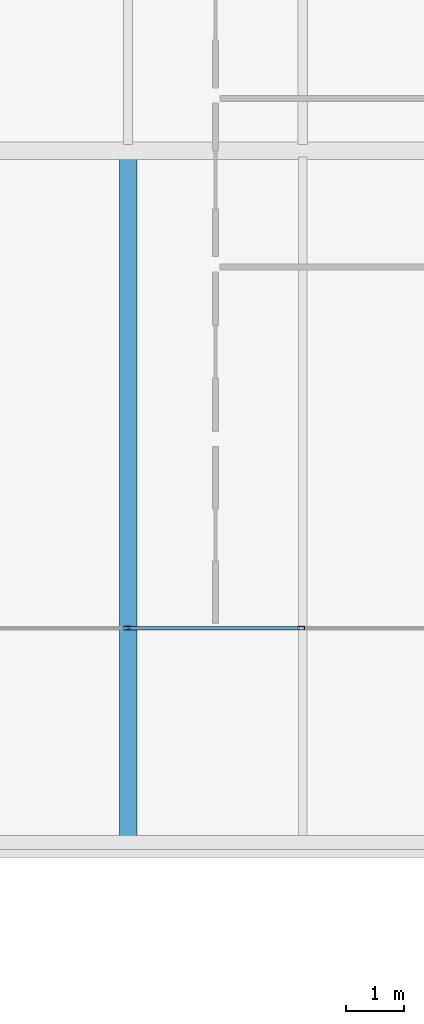
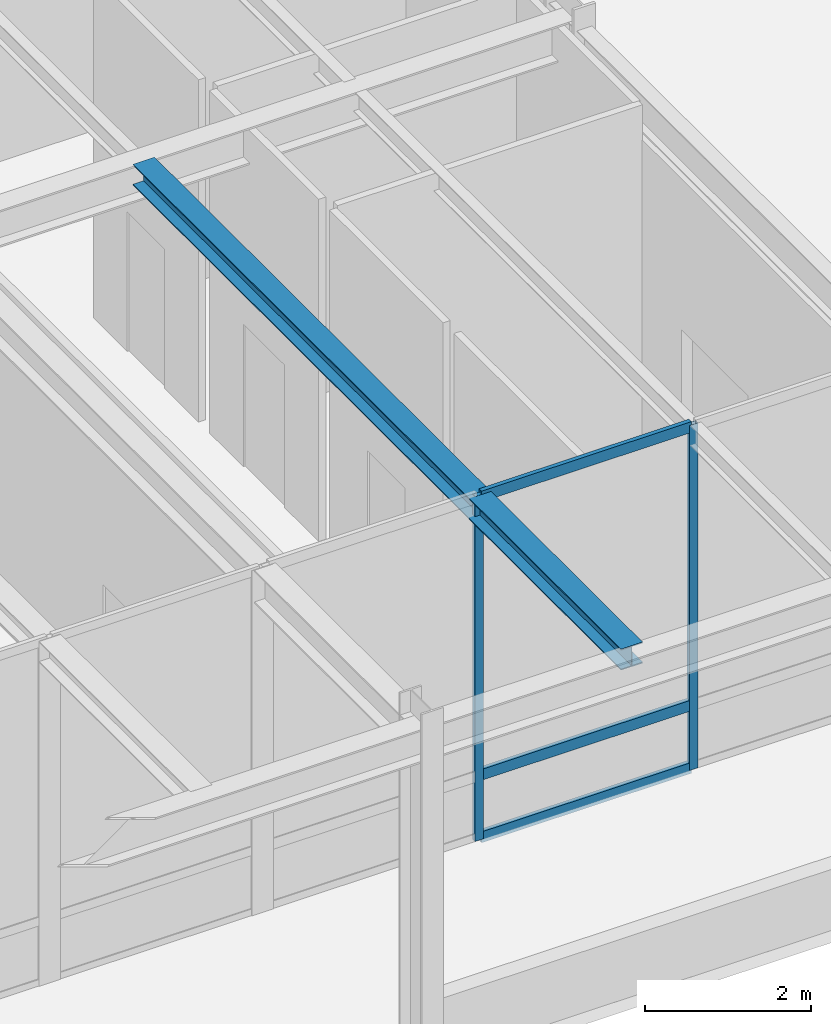
# One storey, part 92 of 143: 5 members, 1 beam, 1 element without a shape of its own.
"""IFC4 building model written with IfcOpenShell, lengths in metres."""

import ifcopenshell
import ifcopenshell.guid

model = None  # the IFC model being written
_history = None  # IfcOwnerHistory: only IFC2X3 demands one
_inside = {}  # id of a spatial element -> (the spatial element, [elements in it])
_under = {}  # id of a project, library or spatial element -> (it, [spatial elements below it])
_declared = {}  # id of a project -> (the project, [libraries it declares])
_typed = {}  # id of a type object -> (the type object, [elements of that type])
_made_of = {}  # id of a material, layer set ... -> (it, [elements and type objects made of it])


def new_model(schema):
    """Start an empty IFC model of exactly this schema.

    Asked for "IFC4X3", IfcOpenShell would pick the latest addendum, in which some entities
    have other attributes; the version numbers below select the first issue.
    IFC2X3 requires an IfcOwnerHistory on every rooted entity: one is made here for all.
    """
    global model, _history
    if schema == "IFC4X3":
        model = ifcopenshell.file(schema_version=(4, 3, 0, 0))
    else:
        model = ifcopenshell.file(schema=schema)
    _inside.clear()
    _under.clear()
    _declared.clear()
    _typed.clear()
    _made_of.clear()
    _history = None
    if model.schema == "IFC2X3":
        org = make("IfcOrganization", Name="unknown")
        user = make(
            "IfcPersonAndOrganization",
            ThePerson=make("IfcPerson", FamilyName="unknown"),
            TheOrganization=org,
        )
        app = make(
            "IfcApplication",
            ApplicationDeveloper=org,
            Version="unknown",
            ApplicationFullName="unknown",
            ApplicationIdentifier="unknown",
        )
        _history = make(
            "IfcOwnerHistory",
            OwningUser=user,
            OwningApplication=app,
            ChangeAction="ADDED",
            CreationDate=0,
        )
    return model


def make(cls, **values):
    """One entity of the class cls with the attributes given. An attribute that is None is left unset."""
    return model.create_entity(
        cls, **{name: value for name, value in values.items() if value is not None}
    )


def rooted(cls, **values):
    """An entity with a GlobalId (a new one), such as an element, a storey or a relation."""
    return make(cls, GlobalId=ifcopenshell.guid.new(), OwnerHistory=_history, **values)


def si_unit(unit_type, name, prefix=None):
    """IfcSIUnit, for example si_unit("LENGTHUNIT", "METRE", prefix="MILLI")."""
    return make("IfcSIUnit", UnitType=unit_type, Prefix=prefix, Name=name)


def assignment(units):
    """IfcUnitAssignment: the units of a project."""
    return None if units is None else make("IfcUnitAssignment", Units=units)


def point(xyz):
    """IfcCartesianPoint."""
    return None if xyz is None else make("IfcCartesianPoint", Coordinates=xyz)


def direction(xyz):
    """IfcDirection."""
    return None if xyz is None else make("IfcDirection", DirectionRatios=xyz)


def frame(location, z_axis=None, x_axis=None):
    """IfcAxis2Placement3D, a coordinate frame: its origin and axes. An axis left out is left unset."""
    return make(
        "IfcAxis2Placement3D",
        Location=point(location),
        Axis=direction(z_axis),
        RefDirection=direction(x_axis),
    )


def frame_2d(location, x_axis=None):
    """IfcAxis2Placement2D, a coordinate frame in the plane: its origin and x axis."""
    return make(
        "IfcAxis2Placement2D", Location=point(location), RefDirection=direction(x_axis)
    )


def origin():
    """The frame at (0, 0, 0) with its axes left unset."""
    return frame((0.0, 0.0, 0.0))


def origin_2d():
    """The frame at (0, 0) in the plane with its x axis left unset."""
    return frame_2d((0.0, 0.0))


def place(relative_to, where):
    """IfcLocalPlacement: puts the frame where relative to a parent placement (None: the world)."""
    return make(
        "IfcLocalPlacement", PlacementRelTo=relative_to, RelativePlacement=where
    )


def context(
    kind, dimensions, precision=None, world=None, true_north=None, identifier=None
):
    """IfcGeometricRepresentationContext, for example the 3D "Model" context."""
    return make(
        "IfcGeometricRepresentationContext",
        ContextIdentifier=identifier,
        ContextType=kind,
        CoordinateSpaceDimension=dimensions,
        Precision=precision,
        WorldCoordinateSystem=world,
        TrueNorth=true_north,
    )


def subcontext(parent, identifier, kind, view, scale=None):
    """IfcGeometricRepresentationSubContext, for example "Body" below "Model"."""
    return make(
        "IfcGeometricRepresentationSubContext",
        ContextIdentifier=identifier,
        ContextType=kind,
        ParentContext=parent,
        TargetScale=scale,
        TargetView=view,
    )


def project(units=None, contexts=None):
    """IfcProject with its units and contexts."""
    return rooted(
        "IfcProject",
        Name="project",
        RepresentationContexts=contexts,
        UnitsInContext=assignment(units),
    )


def spatial(cls, under=None, at=None, **own):
    """A site, building, storey or space (cls), placed at a placement, below another one or the project."""
    s = rooted(cls, ObjectPlacement=at, **own)
    if under is not None:
        _under.setdefault(under.id(), (under, []))[1].append(s)
    return s


def profile(cls, at=None, kind="AREA", **sizes):
    """A parametric profile (cls). Its sizes go by their IFC names, for example OverallWidth=200.0."""
    return make(cls, ProfileType=kind, Position=at, **sizes)


def hollow_rectangle(**sizes):
    """IfcRectangleHollowProfileDef."""
    return profile("IfcRectangleHollowProfileDef", **sizes)


def i_section(**sizes):
    """IfcIShapeProfileDef."""
    return profile("IfcIShapeProfileDef", **sizes)


def extrude(swept, where, along, depth):
    """IfcExtrudedAreaSolid: the profile swept, set in the frame where, extruded along a direction by depth."""
    return make(
        "IfcExtrudedAreaSolid",
        SweptArea=swept,
        Position=where,
        ExtrudedDirection=direction(along),
        Depth=depth,
    )


def shape(context_of_items, identifier, shape_type, items):
    """IfcShapeRepresentation: the items that make up one representation, for example the "Body"."""
    return make(
        "IfcShapeRepresentation",
        ContextOfItems=context_of_items,
        RepresentationIdentifier=identifier,
        RepresentationType=shape_type,
        Items=items,
    )


def material(Name=None, Category=None):
    """IfcMaterial."""
    return make("IfcMaterial", Name=Name, Category=Category)


def layer(
    of_material, thickness, ventilated=None, Name=None, Category=None, Priority=None
):
    """IfcMaterialLayer: one layer of a wall or slab, of a material (None: an air gap)."""
    return make(
        "IfcMaterialLayer",
        Material=of_material,
        LayerThickness=thickness,
        IsVentilated=ventilated,
        Name=Name,
        Category=Category,
        Priority=Priority,
    )


def layer_set(layers, Name=None):
    """IfcMaterialLayerSet."""
    return make("IfcMaterialLayerSet", MaterialLayers=layers, LayerSetName=Name)


def material_profile(
    of_material, cross_section, Name=None, Category=None, Priority=None
):
    """IfcMaterialProfile: a cross section and its material."""
    return make(
        "IfcMaterialProfile",
        Name=Name,
        Material=of_material,
        Profile=cross_section,
        Priority=Priority,
        Category=Category,
    )


def profile_set(profiles, Name=None, composite=None):
    """IfcMaterialProfileSet."""
    return make(
        "IfcMaterialProfileSet",
        Name=Name,
        MaterialProfiles=profiles,
        CompositeProfile=composite,
    )


def made_of(thing, what):
    """Note that an element or type object is made of a material, layer set ...; save() writes the relation."""
    if what is not None:
        _made_of.setdefault(what.id(), (what, []))[1].append(thing)
    return thing


def type_object(cls, material=None, **own):
    """A type object (cls), such as IfcWallType, which elements share."""
    return made_of(rooted(cls, **own), material)


def element(
    cls,
    number,
    at=None,
    inside=None,
    cuts=None,
    type_object=None,
    material=None,
    context=None,
    identifier="Body",
    shape_type=None,
    held_by="IfcProductDefinitionShape",
    body=None,
    shapes=None,
    **own,
):
    """One element of the class cls, such as IfcWall. Its Tag is "e" and its number.

    at: its placement. inside: the storey or other place that contains it. cuts: it is an
    opening in that element (IfcRelVoidsElement). A single representation is given by context,
    identifier, shape_type and body (its items); several are given by shapes. held_by: the class
    of the entity that holds the representations. save() writes the other relations.
    """
    e = rooted(cls, Tag="e%d" % number, ObjectPlacement=at, **own)
    if body is not None:
        shapes = [shape(context, identifier, shape_type, body)]
    if shapes is not None:
        e.Representation = make(held_by, Representations=shapes)
    if inside is not None:
        _inside.setdefault(inside.id(), (inside, []))[1].append(e)
    if cuts is not None:
        rooted(
            "IfcRelVoidsElement", RelatingBuildingElement=cuts, RelatedOpeningElement=e
        )
    if type_object is not None:
        _typed.setdefault(type_object.id(), (type_object, []))[1].append(e)
    return made_of(e, material)


def aggregate(whole, parts):
    """IfcRelAggregates: a whole, such as a stair, and the parts it consists of."""
    return rooted("IfcRelAggregates", RelatingObject=whole, RelatedObjects=parts)


def save(model, path):
    """Write the relations noted so far, then the file.

    IfcRelAggregates (storeys below a building ...), IfcRelContainedInSpatialStructure (elements
    in a storey), IfcRelDefinesByType, IfcRelAssociatesMaterial and IfcRelDeclares: one each for
    every whole, place, type object, material and project.
    """
    for whole, parts in _under.values():
        aggregate(whole, parts)
    for where, things in _inside.values():
        rooted(
            "IfcRelContainedInSpatialStructure",
            RelatedElements=things,
            RelatingStructure=where,
        )
    for kind, things in _typed.values():
        rooted("IfcRelDefinesByType", RelatedObjects=things, RelatingType=kind)
    for what, things in _made_of.values():
        rooted("IfcRelAssociatesMaterial", RelatedObjects=things, RelatingMaterial=what)
    for by, libraries in _declared.values():
        rooted("IfcRelDeclares", RelatingContext=by, RelatedDefinitions=libraries)
    model.write(path)


model = new_model("IFC4")

# Units and contexts
model_context = context("Model", 3, precision=1e-05, world=origin(), true_north=direction((0.0, 1.0)))
body_context = subcontext(model_context, "Body", "Model", "MODEL_VIEW")
ifc_project = project(units=[si_unit("LENGTHUNIT", "METRE"), si_unit("AREAUNIT", "SQUARE_METRE"), si_unit("VOLUMEUNIT", "CUBIC_METRE"), si_unit("PLANEANGLEUNIT", "RADIAN"), si_unit("MASSUNIT", "GRAM", prefix="KILO")], contexts=[model_context])

# Site, building, storey
site_placement = place(None, origin())
site = spatial("IfcSite", under=ifc_project, at=site_placement, CompositionType="ELEMENT")
building_placement = place(site_placement, origin())
building = spatial("IfcBuilding", under=site, at=building_placement, Name="Montelvaro Courts of Justice", CompositionType="ELEMENT")
storey_placement = place(building_placement, origin())
storey = spatial("IfcBuildingStorey", under=building, at=storey_placement, Name="L00", CompositionType="ELEMENT", Elevation=0.0)

# Beam
ifc_material_1 = material(Name="Steel S355", Category="steel")
ifc_material_profile_1 = material_profile(ifc_material_1, i_section(OverallWidth=0.300048828125, OverallDepth=0.31005859375, WebThickness=0.009033203125, FlangeThickness=0.015380859375, at=origin_2d()), Name="HEA 320")
ifc_profile_set_1 = profile_set([ifc_material_profile_1], Name="Steel S355")
beam_type = type_object("IfcBeamType", Name="Beam_HEA320", PredefinedType="BEAM", material=ifc_profile_set_1)
beam_placement = place(storey_placement, frame((129.0, 0.110107421875, 4.925048828125), z_axis=(0.0, 1.0, 0.0), x_axis=(-1.0, 0.0, 0.0)))
element("IfcBeam", 1, at=beam_placement, inside=storey, type_object=beam_type, Name="Beam B-15 L00", PredefinedType="BEAM", context=body_context, shape_type="SweptSolid", body=[
    extrude(i_section(OverallWidth=0.300048828125, OverallDepth=0.31005859375, WebThickness=0.009033203125, FlangeThickness=0.015380859375, at=origin_2d()), origin(), (0.0, 0.0, 1.0), 11.77978515625),
])

# Curtain wall, members
ifc_material_2 = material(Name="Anodised aluminium EN AW-6063", Category="aluminium")
ifc_layer = layer(ifc_material_2, 0.159912109375)
ifc_layer_set = layer_set([ifc_layer], Name="Anodised aluminium EN AW-6063")
curtain_wall_type = type_object("IfcCurtainWallType", Name="CurtainWall_10_896x508", PredefinedType="USERDEFINED", material=ifc_layer_set)
curtain_wall_placement = place(storey_placement, origin())
curtain_wall = element("IfcCurtainWall", 2, at=curtain_wall_placement, inside=storey, type_object=curtain_wall_type, Name="Curtain Wall CW-10 (L00)", ObjectType="CURTAIN WALL", PredefinedType="USERDEFINED")
ifc_material_profile_2 = material_profile(ifc_material_2, hollow_rectangle(XDim=0.06005859375, YDim=0.1201171875, WallThickness=0.00341796875, at=origin_2d()), Name="ALU-M 60x120")
ifc_profile_set_2 = profile_set([ifc_material_profile_2], Name="Anodised aluminium EN AW-6063")
member_type_1 = type_object("IfcMemberType", Name="CurtainWall_Mullion_60x120", PredefinedType="MULLION", material=ifc_profile_set_2)
member_1_placement = place(storey_placement, frame((128.986572265625, 3.800048828125, 0.0), z_axis=(0.0, 0.0, 1.0), x_axis=(0.0, 1.0, 0.0)))
member_1 = element("IfcMember", 3, at=member_1_placement, type_object=member_type_1, Name="CW-10 mullion 2", PredefinedType="MULLION", context=body_context, shape_type="SweptSolid", body=[
    extrude(hollow_rectangle(XDim=0.06005859375, YDim=0.1201171875, WallThickness=0.00341796875, at=origin_2d()), origin(), (0.0, 0.0, 1.0), 5.080078125),
])
member_2_placement = place(storey_placement, frame((131.973388671875, 3.800048828125, 0.0), z_axis=(0.0, 0.0, 1.0), x_axis=(0.0, 1.0, 0.0)))
member_2 = element("IfcMember", 4, at=member_2_placement, type_object=member_type_1, Name="CW-10 mullion 3", PredefinedType="MULLION", context=body_context, shape_type="SweptSolid", body=[
    extrude(hollow_rectangle(XDim=0.06005859375, YDim=0.1201171875, WallThickness=0.00341796875, at=origin_2d()), origin(), (0.0, 0.0, 1.0), 5.080078125),
])
ifc_material_profile_3 = material_profile(ifc_material_2, hollow_rectangle(XDim=0.06005859375, YDim=0.159912109375, WallThickness=0.00439453125, at=origin_2d()), Name="ALU-T 60x160")
ifc_profile_set_3 = profile_set([ifc_material_profile_3], Name="Anodised aluminium EN AW-6063")
member_type_2 = type_object("IfcMemberType", Name="CurtainWall_Transom_60x160", PredefinedType="USERDEFINED", material=ifc_profile_set_3)
member_3_placement = place(storey_placement, frame((129.0166015625, 3.800048828125, 0.030029296875), z_axis=(1.0, 0.0, 0.0), x_axis=(0.0, 1.0, 0.0)))
member_3 = element("IfcMember", 5, at=member_3_placement, type_object=member_type_2, Name="CW-10 transom 2.1", ObjectType="TRANSOM", PredefinedType="USERDEFINED", context=body_context, shape_type="SweptSolid", body=[
    extrude(hollow_rectangle(XDim=0.06005859375, YDim=0.159912109375, WallThickness=0.00439453125, at=origin_2d()), origin(), (0.0, 0.0, 1.0), 2.9267578125),
])
member_4_placement = place(storey_placement, frame((129.0166015625, 3.800048828125, 0.949951171875), z_axis=(1.0, 0.0, 0.0), x_axis=(0.0, 1.0, 0.0)))
member_4 = element("IfcMember", 6, at=member_4_placement, type_object=member_type_2, Name="CW-10 transom 2.2", ObjectType="TRANSOM", PredefinedType="USERDEFINED", context=body_context, shape_type="SweptSolid", body=[
    extrude(hollow_rectangle(XDim=0.06005859375, YDim=0.159912109375, WallThickness=0.00439453125, at=origin_2d()), origin(), (0.0, 0.0, 1.0), 2.9267578125),
])
member_5_placement = place(storey_placement, frame((129.0166015625, 3.800048828125, 5.050048828125), z_axis=(1.0, 0.0, 0.0), x_axis=(0.0, 1.0, 0.0)))
member_5 = element("IfcMember", 7, at=member_5_placement, type_object=member_type_2, Name="CW-10 transom 2.3", ObjectType="TRANSOM", PredefinedType="USERDEFINED", context=body_context, shape_type="SweptSolid", body=[
    extrude(hollow_rectangle(XDim=0.06005859375, YDim=0.159912109375, WallThickness=0.00439453125, at=origin_2d()), origin(), (0.0, 0.0, 1.0), 2.9267578125),
])
aggregate(curtain_wall, [member_1, member_2, member_3, member_4, member_5])

save(model, "model.ifc")
